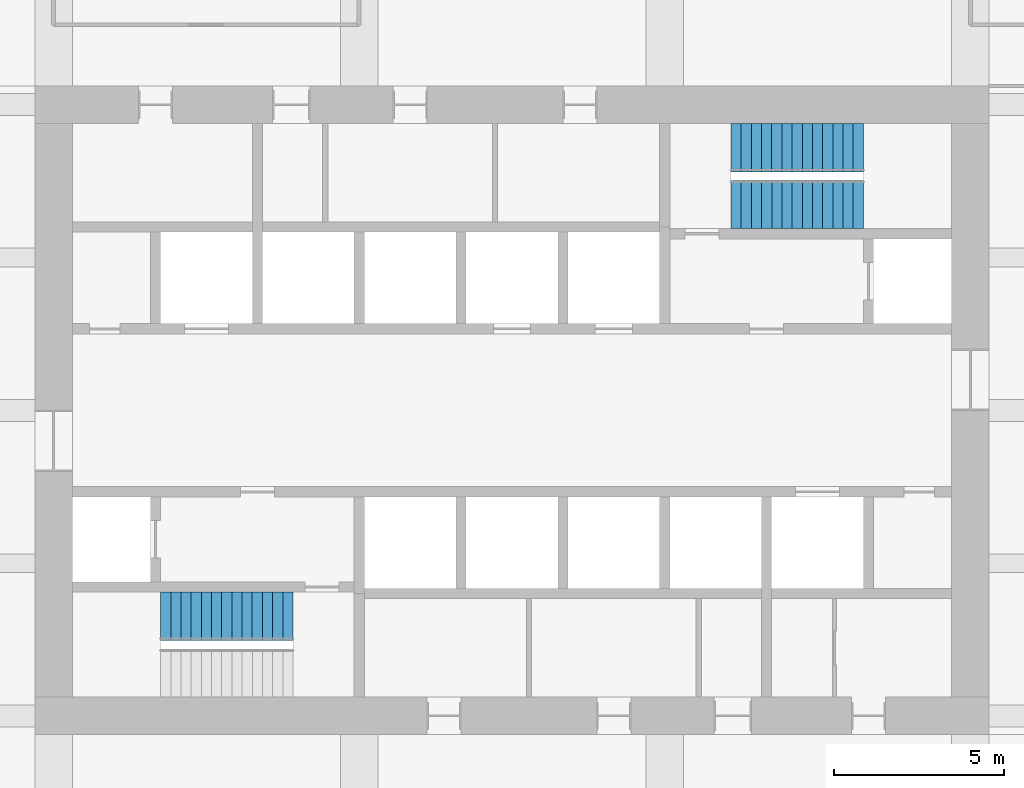
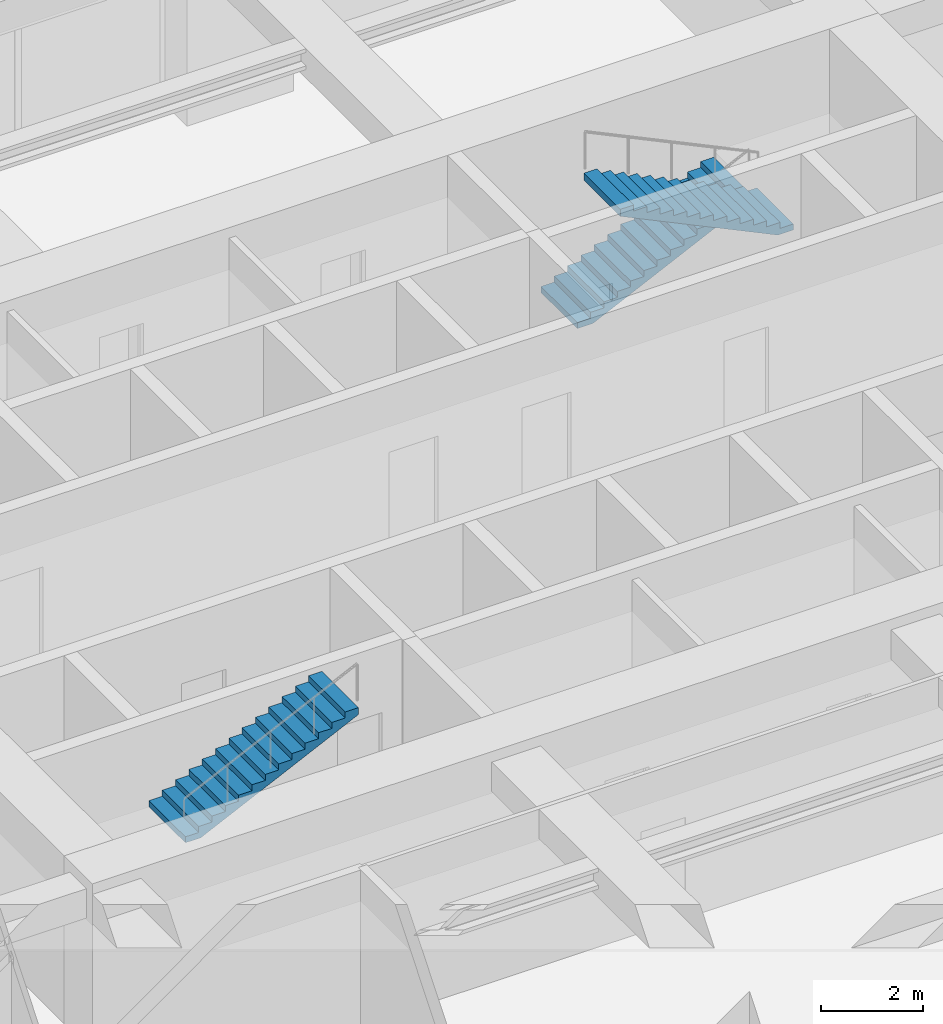
# One storey, part 39 of 40: 3 stair flights, 2 elements without a shape of their own.
"""IFC4 building model written with IfcOpenShell, lengths in metres."""

from ifc_helpers import new_model, si_unit, direction, frame, origin, place, context, subcontext, project, spatial, polyline, outline, extrude, material, type_object, element, aggregate, save


model = new_model("IFC4")

# Units and contexts
model_context = context("Model", 3, precision=1e-05, world=origin(), true_north=direction((0.0, 1.0)))
body_context = subcontext(model_context, "Body", "Model", "MODEL_VIEW")
ifc_project = project(units=[si_unit("LENGTHUNIT", "METRE"), si_unit("AREAUNIT", "SQUARE_METRE"), si_unit("VOLUMEUNIT", "CUBIC_METRE"), si_unit("PLANEANGLEUNIT", "RADIAN"), si_unit("MASSUNIT", "GRAM", prefix="KILO")], contexts=[model_context])

# Site, building, storey
site_placement = place(None, origin())
site = spatial("IfcSite", under=ifc_project, at=site_placement, CompositionType="ELEMENT")
building_placement = place(site_placement, origin())
building = spatial("IfcBuilding", under=site, at=building_placement, Name="Zorevar Civic Tower", CompositionType="ELEMENT")
storey_placement = place(building_placement, frame((0.0, 0.0, 129.0)))
storey = spatial("IfcBuildingStorey", under=building, at=storey_placement, Name="L31", CompositionType="ELEMENT", Elevation=129.0)

# Stair, stair flight
ifc_material_1 = material(Name="Precast concrete C40/50", Category="concrete")
stair_type = type_object("IfcStairType", Name="Stair ST 28R", PredefinedType="HALF_TURN_STAIR", material=ifc_material_1)
stair_1_placement = place(storey_placement, origin())
stair_1 = element("IfcStair", 1, at=stair_1_placement, inside=storey, type_object=stair_type, Name="Stair ST1 L31", PredefinedType="HALF_TURN_STAIR")
ifc_material_2 = material(Name="Precast concrete C40/50", Category="concrete")
stair_flight_type = type_object("IfcStairFlightType", Name="Stair flight", PredefinedType="STRAIGHT", material=ifc_material_2)
stair_flight_1_placement = place(storey_placement, frame((21.14990234375, 20.9375, 2.0), z_axis=(0.0, 0.0, 1.0), x_axis=(1.0, 0.0, 0.0)))
stair_flight_1 = element("IfcStairFlight", 2, at=stair_flight_1_placement, type_object=stair_flight_type, Name="ST1 flight 2", NumberOfRisers=14, NumberOfTreads=13, PredefinedType="STRAIGHT", RiserHeight=0.142857143, TreadLength=0.3, context=body_context, shape_type="SweptSolid", body=[
    extrude(outline(polyline([(0.0, 0.0), (0.0, 0.142822265625), (0.300048828125, 0.142822265625), (0.300048828125, 0.28564453125), (0.60009765625, 0.28564453125), (0.60009765625, 0.428466796875), (0.89990234375, 0.428466796875), (0.89990234375, 0.571533203125), (1.199951171875, 0.571533203125), (1.199951171875, 0.71435546875), (1.5, 0.71435546875), (1.5, 0.857177734375), (1.800048828125, 0.857177734375), (1.800048828125, 1.0), (2.10009765625, 1.0), (2.10009765625, 1.142822265625), (2.39990234375, 1.142822265625), (2.39990234375, 1.28564453125), (2.699951171875, 1.28564453125), (2.699951171875, 1.428466796875), (3.0, 1.428466796875), (3.0, 1.571533203125), (3.300048828125, 1.571533203125), (3.300048828125, 1.71435546875), (3.60009765625, 1.71435546875), (3.60009765625, 1.857177734375), (3.89990234375, 1.857177734375), (3.89990234375, 2.0), (3.89990234375, 1.691162109375), (0.3486328125, 0.0), (0.0, 0.0)])), frame((0.0, 0.71240234375, 0.0), z_axis=(0.0, -1.0, 0.0), x_axis=(1.0, 0.0, 0.0)), (0.0, 0.0, 1.0), 1.425048828125),
])
aggregate(stair_1, [stair_flight_1])

# Stair, stair flights
stair_2_placement = place(storey_placement, origin())
stair_2 = element("IfcStair", 3, at=stair_2_placement, inside=storey, type_object=stair_type, Name="Stair ST2 L31", PredefinedType="HALF_TURN_STAIR")
stair_flight_2_placement = place(storey_placement, frame((37.949951171875, 34.737548828125, 0.0), z_axis=(0.0, 0.0, 1.0), x_axis=(1.0, 0.0, 0.0)))
stair_flight_2 = element("IfcStairFlight", 4, at=stair_flight_2_placement, type_object=stair_flight_type, Name="ST2 flight 1", NumberOfRisers=14, NumberOfTreads=13, PredefinedType="STRAIGHT", RiserHeight=0.142857143, TreadLength=0.3, context=body_context, shape_type="SweptSolid", body=[
    extrude(outline(polyline([(0.0, 0.0), (0.0, 0.142822265625), (0.300048828125, 0.142822265625), (0.300048828125, 0.28564453125), (0.60009765625, 0.28564453125), (0.60009765625, 0.428466796875), (0.89990234375, 0.428466796875), (0.89990234375, 0.571533203125), (1.199951171875, 0.571533203125), (1.199951171875, 0.71435546875), (1.5, 0.71435546875), (1.5, 0.857177734375), (1.800048828125, 0.857177734375), (1.800048828125, 1.0), (2.10009765625, 1.0), (2.10009765625, 1.142822265625), (2.39990234375, 1.142822265625), (2.39990234375, 1.28564453125), (2.699951171875, 1.28564453125), (2.699951171875, 1.428466796875), (3.0, 1.428466796875), (3.0, 1.571533203125), (3.300048828125, 1.571533203125), (3.300048828125, 1.71435546875), (3.60009765625, 1.71435546875), (3.60009765625, 1.857177734375), (3.89990234375, 1.857177734375), (3.89990234375, 2.0), (3.89990234375, 1.691162109375), (0.3486328125, 0.0), (0.0, 0.0)])), frame((0.0, 0.71240234375, 0.0), z_axis=(0.0, -1.0, 0.0), x_axis=(1.0, 0.0, 0.0)), (0.0, 0.0, 1.0), 1.425048828125),
])
stair_flight_3_placement = place(storey_placement, frame((41.85009765625, 33.0625, 2.0), z_axis=(0.0, 0.0, 1.0), x_axis=(-1.0, 0.0, 0.0)))
stair_flight_3 = element("IfcStairFlight", 5, at=stair_flight_3_placement, type_object=stair_flight_type, Name="ST2 flight 2", NumberOfRisers=14, NumberOfTreads=13, PredefinedType="STRAIGHT", RiserHeight=0.142857143, TreadLength=0.3, context=body_context, shape_type="SweptSolid", body=[
    extrude(outline(polyline([(0.0, 0.0), (0.0, 0.142822265625), (0.300048828125, 0.142822265625), (0.300048828125, 0.28564453125), (0.60009765625, 0.28564453125), (0.60009765625, 0.428466796875), (0.89990234375, 0.428466796875), (0.89990234375, 0.571533203125), (1.199951171875, 0.571533203125), (1.199951171875, 0.71435546875), (1.5, 0.71435546875), (1.5, 0.857177734375), (1.800048828125, 0.857177734375), (1.800048828125, 1.0), (2.10009765625, 1.0), (2.10009765625, 1.142822265625), (2.39990234375, 1.142822265625), (2.39990234375, 1.28564453125), (2.699951171875, 1.28564453125), (2.699951171875, 1.428466796875), (3.0, 1.428466796875), (3.0, 1.571533203125), (3.300048828125, 1.571533203125), (3.300048828125, 1.71435546875), (3.60009765625, 1.71435546875), (3.60009765625, 1.857177734375), (3.89990234375, 1.857177734375), (3.89990234375, 2.0), (3.89990234375, 1.691162109375), (0.3486328125, 0.0), (0.0, 0.0)])), frame((0.0, 0.71240234375, 0.0), z_axis=(0.0, -1.0, 0.0), x_axis=(1.0, 0.0, 0.0)), (0.0, 0.0, 1.0), 1.425048828125),
])
aggregate(stair_2, [stair_flight_2, stair_flight_3])

save(model, "model.ifc")
